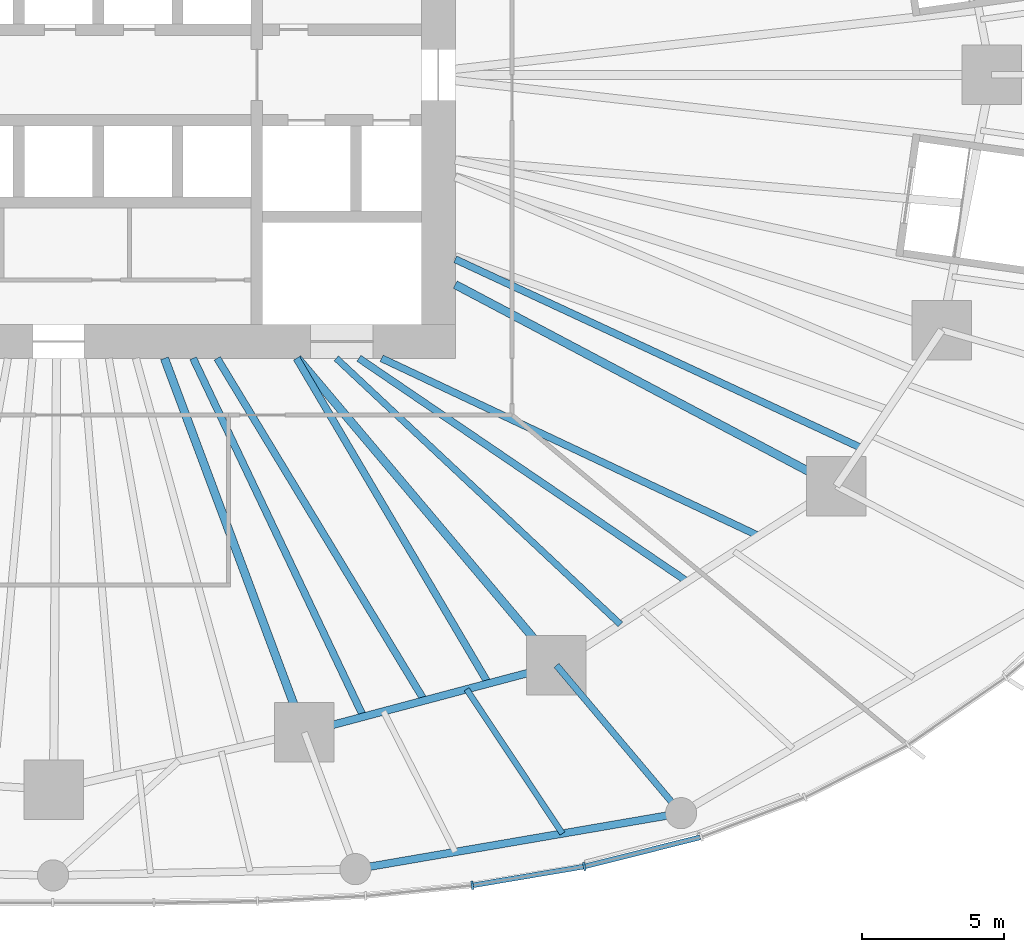
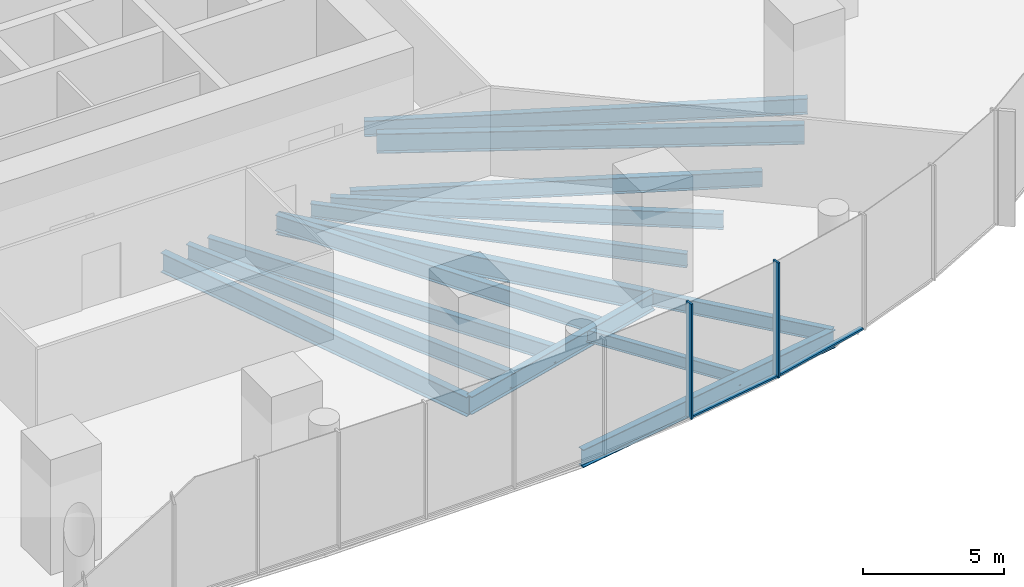
# One storey, part 4 of 27: 14 beams, 4 members, 1 element without a shape of its own.
"""IFC4 building model written with IfcOpenShell, lengths in metres."""

from ifc_helpers import new_model, si_unit, direction, frame, origin, origin_2d, place, context, subcontext, project, spatial, rectangle, i_section, extrude, material, material_profile, profile_set, type_object, element, aggregate, save


model = new_model("IFC4")

# Units and contexts
model_context = context("Model", 3, precision=1e-05, world=origin(), true_north=direction((0.0, 1.0)))
body_context = subcontext(model_context, "Body", "Model", "MODEL_VIEW")
ifc_project = project(units=[si_unit("LENGTHUNIT", "METRE"), si_unit("AREAUNIT", "SQUARE_METRE"), si_unit("VOLUMEUNIT", "CUBIC_METRE"), si_unit("PLANEANGLEUNIT", "RADIAN"), si_unit("MASSUNIT", "GRAM", prefix="KILO")], contexts=[model_context])

# Site, building, storey
site_placement = place(None, origin())
site = spatial("IfcSite", under=ifc_project, at=site_placement, CompositionType="ELEMENT")
building_placement = place(site_placement, origin())
building = spatial("IfcBuilding", under=site, at=building_placement, Name="Ghaith Harvest Tower", CompositionType="ELEMENT")
storey_placement = place(building_placement, frame((0.0, 0.0, 10.0)))
storey = spatial("IfcBuildingStorey", under=building, at=storey_placement, Name="L02", CompositionType="ELEMENT", Elevation=10.0)

# Curtain wall, members
ifc_material_1 = material(Name="Black anodised aluminium and fritted glass", Category="aluminium")
curtain_wall_type = type_object("IfcCurtainWallType", Name="CW-P CURTAIN WALL", PredefinedType="NOTDEFINED", material=ifc_material_1)
curtain_wall_placement = place(storey_placement, origin())
curtain_wall = element("IfcCurtainWall", 1, at=curtain_wall_placement, inside=storey, type_object=curtain_wall_type, Name="Curtain wall CW-P bay 17 L02", PredefinedType="NOTDEFINED")
ifc_material_2 = material(Name="Aluminium, black anodised", Category="aluminium")
ifc_material_profile_1 = material_profile(ifc_material_2, rectangle(XDim=0.080078125, YDim=0.300048828125, at=origin_2d()), Name="CW-P MULLION 80x300")
ifc_profile_set_1 = profile_set([ifc_material_profile_1], Name="Aluminium, black anodised")
member_type_1 = type_object("IfcMemberType", Name="CW-P MULLION 80x300", PredefinedType="MULLION", material=ifc_profile_set_1)
member_1_placement = place(storey_placement, frame((14.600830078125, -28.60009765625, 0.0), z_axis=(0.0, 0.0, 1.0), x_axis=(0.991022283868, 0.133696794569, 0.0)))
member_1 = element("IfcMember", 2, at=member_1_placement, type_object=member_type_1, Name="CW-P mullion 2 bay 17 L02", PredefinedType="MULLION", context=body_context, shape_type="SweptSolid", body=[
    extrude(rectangle(XDim=0.080078125, YDim=0.300048828125, at=origin_2d()), origin(), (0.0, 0.0, 1.0), 5.0),
])
member_2_placement = place(storey_placement, frame((18.553466796875, -27.933349609375, 0.0), z_axis=(0.0, 0.0, 1.0), x_axis=(0.978448790114, 0.206489624736, 0.0)))
member_2 = element("IfcMember", 3, at=member_2_placement, type_object=member_type_1, Name="CW-P mullion 3 bay 17 L02", PredefinedType="MULLION", context=body_context, shape_type="SweptSolid", body=[
    extrude(rectangle(XDim=0.080078125, YDim=0.300048828125, at=origin_2d()), origin(), (0.0, 0.0, 1.0), 5.0),
])
ifc_material_3 = material(Name="Aluminium, black anodised", Category="aluminium")
ifc_material_profile_2 = material_profile(ifc_material_3, rectangle(XDim=0.179931640625, YDim=0.080078125, at=origin_2d()), Name="CW-P TRANSOM 180x80")
ifc_profile_set_2 = profile_set([ifc_material_profile_2], Name="Aluminium, black anodised")
member_type_2 = type_object("IfcMemberType", Name="CW-P TRANSOM 180x80", PredefinedType="USERDEFINED", material=ifc_profile_set_2)
member_3_placement = place(storey_placement, frame((14.640380859375, -28.593505859375, 0.0400390625), z_axis=(0.986064442121, 0.166363806111, 0.0), x_axis=(-0.166363806111, 0.986064442121, 0.0)))
member_3 = element("IfcMember", 4, at=member_3_placement, type_object=member_type_2, Name="CW-P transom 2 bay 17 L02", ObjectType="TRANSOM", PredefinedType="USERDEFINED", context=body_context, shape_type="SweptSolid", body=[
    extrude(rectangle(XDim=0.179931640625, YDim=0.080078125, at=origin_2d()), origin(), (0.0, 0.0, 1.0), 3.928466796875),
])
member_4_placement = place(storey_placement, frame((18.59228515625, -27.923583984375, 0.0400390625), z_axis=(0.969783702734, 0.243966329463, 0.0), x_axis=(-0.243966329463, 0.969783702734, 0.0)))
member_4 = element("IfcMember", 5, at=member_4_placement, type_object=member_type_2, Name="CW-P transom 3 bay 17 L02", ObjectType="TRANSOM", PredefinedType="USERDEFINED", context=body_context, shape_type="SweptSolid", body=[
    extrude(rectangle(XDim=0.179931640625, YDim=0.080078125, at=origin_2d()), origin(), (0.0, 0.0, 1.0), 4.175048828125),
])
aggregate(curtain_wall, [member_1, member_3, member_2, member_4])

# Beams
ifc_material_4 = material(Name="Steel ASTM A992 Grade 50", Category="steel")
ifc_material_profile_3 = material_profile(ifc_material_4, i_section(OverallWidth=0.26806640625, OverallDepth=0.77001953125, WebThickness=0.015625, FlangeThickness=0.025390625, at=origin_2d()), Name="W760X196")
ifc_profile_set_3 = profile_set([ifc_material_profile_3], Name="Steel ASTM A992 Grade 50")
beam_type_1 = type_object("IfcBeamType", Name="E760-196 W760X196", PredefinedType="SPANDREL", material=ifc_profile_set_3)
beam_1_placement = place(storey_placement, frame((8.674072265625, -23.202880859375, -0.635009765625), z_axis=(0.966419097109, 0.256971065963, 0.0), x_axis=(-0.256971065963, 0.966419097109, 0.0)))
element("IfcBeam", 6, at=beam_1_placement, inside=storey, type_object=beam_type_1, Name="Edge beam E17 L02", PredefinedType="SPANDREL", context=body_context, shape_type="SweptSolid", body=[
    extrude(i_section(OverallWidth=0.26806640625, OverallDepth=0.77001953125, WebThickness=0.015625, FlangeThickness=0.025390625, at=origin_2d()), origin(), (0.0, 0.0, 1.0), 9.20703125),
])
beam_2_placement = place(storey_placement, frame((10.47705078125, -28.027099609375, -0.635009765625), z_axis=(0.985550037659, 0.169384542599, 0.0), x_axis=(-0.169384542599, 0.985550037659, 0.0)))
element("IfcBeam", 7, at=beam_2_placement, inside=storey, type_object=beam_type_1, Name="Podium edge beam PE17 L02", PredefinedType="SPANDREL", context=body_context, shape_type="SweptSolid", body=[
    extrude(i_section(OverallWidth=0.26806640625, OverallDepth=0.77001953125, WebThickness=0.015625, FlangeThickness=0.025390625, at=origin_2d()), origin(), (0.0, 0.0, 1.0), 11.660400390625),
])
ifc_material_5 = material(Name="Steel ASTM A992 Grade 50", Category="steel")
ifc_material_profile_4 = material_profile(ifc_material_5, i_section(OverallWidth=0.22802734375, OverallDepth=0.60302734375, WebThickness=0.010498046875, FlangeThickness=0.014892578125, at=origin_2d()), Name="W610X101")
ifc_profile_set_4 = profile_set([ifc_material_profile_4], Name="Steel ASTM A992 Grade 50")
beam_type_2 = type_object("IfcBeamType", Name="G610-101 W610X101", PredefinedType="BEAM", material=ifc_profile_set_4)
beam_3_placement = place(storey_placement, frame((17.572021484375, -20.8369140625, -0.551513671875), z_axis=(0.644591920097, -0.764526818722, 0.0), x_axis=(0.764526818722, 0.644591920097, 0.0)))
element("IfcBeam", 8, at=beam_3_placement, inside=storey, type_object=beam_type_2, Name="Podium radial beam PR18 L02", PredefinedType="BEAM", context=body_context, shape_type="SweptSolid", body=[
    extrude(i_section(OverallWidth=0.22802734375, OverallDepth=0.60302734375, WebThickness=0.010498046875, FlangeThickness=0.014892578125, at=origin_2d()), origin(), (0.0, 0.0, 1.0), 6.8212890625),
])
ifc_material_6 = material(Name="Steel ASTM A992 Grade 50", Category="steel")
ifc_material_profile_5 = material_profile(ifc_material_6, i_section(OverallWidth=0.2939453125, OverallDepth=0.85107421875, WebThickness=0.01611328125, FlangeThickness=0.02685546875, at=origin_2d()), Name="W840X226")
ifc_profile_set_5 = profile_set([ifc_material_profile_5], Name="Steel ASTM A992 Grade 50")
beam_type_3 = type_object("IfcBeamType", Name="G840-226 W840X226", PredefinedType="BEAM", material=ifc_profile_set_5)
beam_4_placement = place(storey_placement, frame((3.73828125, -10.0, -0.675537109375), z_axis=(0.350172283717, -0.936685310932, 0.0), x_axis=(0.936685310932, 0.350172283717, 0.0)))
element("IfcBeam", 9, at=beam_4_placement, inside=storey, type_object=beam_type_3, Name="Radial girder G17 L02", PredefinedType="BEAM", context=body_context, shape_type="SweptSolid", body=[
    extrude(i_section(OverallWidth=0.2939453125, OverallDepth=0.85107421875, WebThickness=0.01611328125, FlangeThickness=0.02685546875, at=origin_2d()), origin(), (0.0, 0.0, 1.0), 14.09521484375),
])
beam_5_placement = place(storey_placement, frame((8.4326171875, -10.0, -0.675537109375), z_axis=(0.644696130938, -0.764438943771, 0.0), x_axis=(0.764438943771, 0.644696130938, 0.0)))
element("IfcBeam", 10, at=beam_5_placement, inside=storey, type_object=beam_type_3, Name="Radial girder G18 L02", PredefinedType="BEAM", context=body_context, shape_type="SweptSolid", body=[
    extrude(i_section(OverallWidth=0.2939453125, OverallDepth=0.85107421875, WebThickness=0.01611328125, FlangeThickness=0.02685546875, at=origin_2d()), origin(), (0.0, 0.0, 1.0), 14.17626953125),
])
beam_6_placement = place(storey_placement, frame((14.0, -7.39990234375, -0.675537109375), z_axis=(0.884084425997, -0.467327216959, 0.0), x_axis=(0.467327216959, 0.884084425997, 0.0)))
element("IfcBeam", 11, at=beam_6_placement, inside=storey, type_object=beam_type_3, Name="Radial girder G19 L02", PredefinedType="BEAM", context=body_context, shape_type="SweptSolid", body=[
    extrude(i_section(OverallWidth=0.2939453125, OverallDepth=0.85107421875, WebThickness=0.01611328125, FlangeThickness=0.02685546875, at=origin_2d()), origin(), (0.0, 0.0, 1.0), 15.21240234375),
])
ifc_material_7 = material(Name="Steel ASTM A992 Grade 50", Category="steel")
ifc_material_profile_6 = material_profile(ifc_material_7, i_section(OverallWidth=0.208984375, OverallDepth=0.532958984375, WebThickness=0.01025390625, FlangeThickness=0.015625, at=origin_2d()), Name="W530X92")
ifc_profile_set_6 = profile_set([ifc_material_profile_6], Name="Steel ASTM A992 Grade 50")
beam_type_4 = type_object("IfcBeamType", Name="J530-92 W530X92", PredefinedType="JOIST", material=ifc_profile_set_6)
beam_7_placement = place(storey_placement, frame((14.400390625, -21.680419921875, -0.5166015625), z_axis=(0.553289005986, -0.832989361189, 0.0), x_axis=(0.832989361189, 0.553289005986, 0.0)))
element("IfcBeam", 12, at=beam_7_placement, inside=storey, type_object=beam_type_4, Name="Podium joist PJ17.2 L02", PredefinedType="JOIST", context=body_context, shape_type="SweptSolid", body=[
    extrude(i_section(OverallWidth=0.208984375, OverallDepth=0.532958984375, WebThickness=0.01025390625, FlangeThickness=0.015625, at=origin_2d()), origin(), (0.0, 0.0, 1.0), 6.11181640625),
])
ifc_material_8 = material(Name="Steel ASTM A992 Grade 50", Category="steel")
ifc_material_profile_7 = material_profile(ifc_material_8, i_section(OverallWidth=0.22900390625, OverallDepth=0.612060546875, WebThickness=0.011962890625, FlangeThickness=0.01953125, at=origin_2d()), Name="W610X125")
ifc_profile_set_7 = profile_set([ifc_material_profile_7], Name="Steel ASTM A992 Grade 50")
beam_type_5 = type_object("IfcBeamType", Name="J610-125 W610X125", PredefinedType="JOIST", material=ifc_profile_set_7)
beam_8_placement = place(storey_placement, frame((9.800048828125, -10.0, -0.555908203125), z_axis=(0.72994990542, -0.683500647825, 0.0), x_axis=(0.683500647825, 0.72994990542, 0.0)))
element("IfcBeam", 13, at=beam_8_placement, inside=storey, type_object=beam_type_5, Name="Joist J18.1 L02", PredefinedType="JOIST", context=body_context, shape_type="SweptSolid", body=[
    extrude(i_section(OverallWidth=0.22900390625, OverallDepth=0.612060546875, WebThickness=0.011962890625, FlangeThickness=0.01953125, at=origin_2d()), origin(), (0.0, 0.0, 1.0), 13.7392578125),
])
ifc_material_9 = material(Name="Steel ASTM A992 Grade 50", Category="steel")
ifc_material_profile_8 = material_profile(ifc_material_9, i_section(OverallWidth=0.25390625, OverallDepth=0.68408203125, WebThickness=0.012451171875, FlangeThickness=0.018798828125, at=origin_2d()), Name="W690X140")
ifc_profile_set_8 = profile_set([ifc_material_profile_8], Name="Steel ASTM A992 Grade 50")
beam_type_6 = type_object("IfcBeamType", Name="J690-140 W690X140", PredefinedType="JOIST", material=ifc_profile_set_8)
beam_9_placement = place(storey_placement, frame((4.75, -10.0, -0.592041015625), z_axis=(0.429067127754, -0.903272605519, 0.0), x_axis=(0.903272605519, 0.429067127754, 0.0)))
element("IfcBeam", 14, at=beam_9_placement, inside=storey, type_object=beam_type_6, Name="Joist J17.1 L02", PredefinedType="JOIST", context=body_context, shape_type="SweptSolid", body=[
    extrude(i_section(OverallWidth=0.25390625, OverallDepth=0.68408203125, WebThickness=0.012451171875, FlangeThickness=0.018798828125, at=origin_2d()), origin(), (0.0, 0.0, 1.0), 14.003173828125),
])
beam_10_placement = place(storey_placement, frame((5.60009765625, -10.0, -0.592041015625), z_axis=(0.517828660199, -0.855484353262, 0.0), x_axis=(0.855484353262, 0.517828660199, 0.0)))
element("IfcBeam", 15, at=beam_10_placement, inside=storey, type_object=beam_type_6, Name="Joist J17.2 L02", PredefinedType="JOIST", context=body_context, shape_type="SweptSolid", body=[
    extrude(i_section(OverallWidth=0.25390625, OverallDepth=0.68408203125, WebThickness=0.012451171875, FlangeThickness=0.018798828125, at=origin_2d()), origin(), (0.0, 0.0, 1.0), 14.11669921875),
])
beam_11_placement = place(storey_placement, frame((8.39990234375, -10.0, -0.592041015625), z_axis=(0.507894375661, -0.861419353841, 0.0), x_axis=(0.861419353841, 0.507894375661, 0.0)))
element("IfcBeam", 16, at=beam_11_placement, inside=storey, type_object=beam_type_6, Name="Joist J17.3 L02", PredefinedType="JOIST", context=body_context, shape_type="SweptSolid", body=[
    extrude(i_section(OverallWidth=0.25390625, OverallDepth=0.68408203125, WebThickness=0.012451171875, FlangeThickness=0.018798828125, at=origin_2d()), origin(), (0.0, 0.0, 1.0), 13.32275390625),
])
beam_12_placement = place(storey_placement, frame((10.60009765625, -10.0, -0.592041015625), z_axis=(0.826982555637, -0.562227580853, 0.0), x_axis=(0.562227580853, 0.826982555637, 0.0)))
element("IfcBeam", 17, at=beam_12_placement, inside=storey, type_object=beam_type_6, Name="Joist J18.2 L02", PredefinedType="JOIST", context=body_context, shape_type="SweptSolid", body=[
    extrude(i_section(OverallWidth=0.25390625, OverallDepth=0.68408203125, WebThickness=0.012451171875, FlangeThickness=0.018798828125, at=origin_2d()), origin(), (0.0, 0.0, 1.0), 14.013671875),
])
beam_13_placement = place(storey_placement, frame((11.39990234375, -10.0, -0.592041015625), z_axis=(0.904709580205, -0.426028843489, 0.0), x_axis=(0.426028843489, 0.904709580205, 0.0)))
element("IfcBeam", 18, at=beam_13_placement, inside=storey, type_object=beam_type_6, Name="Joist J18.3 L02", PredefinedType="JOIST", context=body_context, shape_type="SweptSolid", body=[
    extrude(i_section(OverallWidth=0.25390625, OverallDepth=0.68408203125, WebThickness=0.012451171875, FlangeThickness=0.018798828125, at=origin_2d()), origin(), (0.0, 0.0, 1.0), 14.708251953125),
])
beam_14_placement = place(storey_placement, frame((14.0, -6.506103515625, -0.592041015625), z_axis=(0.906865804441, -0.421419521067, 0.0), x_axis=(0.421419521067, 0.906865804441, 0.0)))
element("IfcBeam", 19, at=beam_14_placement, inside=storey, type_object=beam_type_6, Name="Joist J19.1 L02", PredefinedType="JOIST", context=body_context, shape_type="SweptSolid", body=[
    extrude(i_section(OverallWidth=0.25390625, OverallDepth=0.68408203125, WebThickness=0.012451171875, FlangeThickness=0.018798828125, at=origin_2d()), origin(), (0.0, 0.0, 1.0), 15.824462890625),
])

save(model, "model.ifc")
